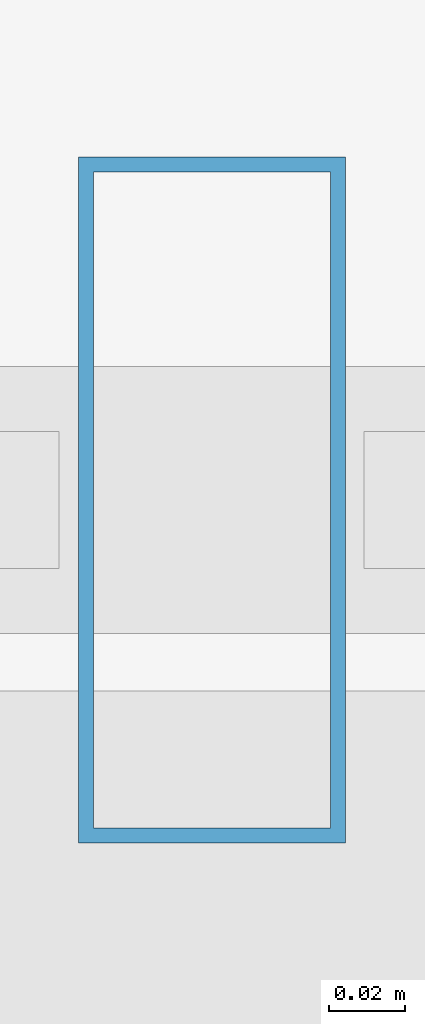
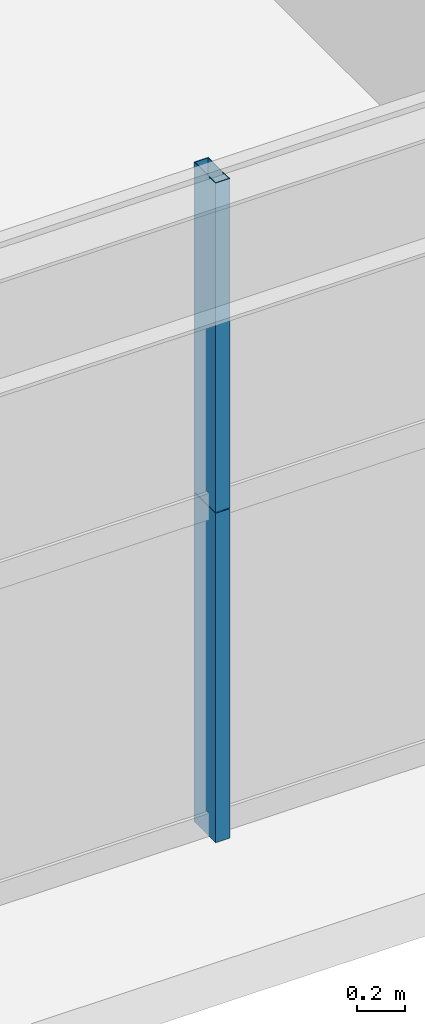
# One storey, part 13 of 43: 2 members, 1 element without a shape of its own.
"""IFC4 building model written with IfcOpenShell, lengths in metres."""

from ifc_helpers import new_model, si_unit, direction, frame, origin, origin_2d, place, context, subcontext, project, spatial, hollow_rectangle, extrude, source, transform, mapped, material, layer, layer_set, material_profile, profile_set, type_object, element, aggregate, save


model = new_model("IFC4")

# Units and contexts
model_context = context("Model", 3, precision=1e-05, world=origin(), true_north=direction((0.0, 1.0)))
body_context = subcontext(model_context, "Body", "Model", "MODEL_VIEW")
ifc_project = project(units=[si_unit("LENGTHUNIT", "METRE"), si_unit("AREAUNIT", "SQUARE_METRE"), si_unit("VOLUMEUNIT", "CUBIC_METRE"), si_unit("PLANEANGLEUNIT", "RADIAN"), si_unit("MASSUNIT", "GRAM", prefix="KILO"), si_unit("THERMODYNAMICTEMPERATUREUNIT", "KELVIN"), si_unit("POWERUNIT", "WATT")], contexts=[model_context])

# Site, building, storey
site_placement = place(None, origin())
site = spatial("IfcSite", under=ifc_project, at=site_placement, CompositionType="ELEMENT")
building_placement = place(site_placement, origin())
building = spatial("IfcBuilding", under=site, at=building_placement, Name="Yuzanri Waterfront Tower", CompositionType="ELEMENT")
storey_placement = place(building_placement, frame((0.0, 0.0, 53.199951171875)))
storey = spatial("IfcBuildingStorey", under=building, at=storey_placement, Name="L13", CompositionType="ELEMENT", Elevation=53.199951171875)

# Curtain wall, members
ifc_material_1 = material(Name="Anodized Architectural Bronze", Category="metal")
ifc_layer = layer(ifc_material_1, 0.159912109375)
ifc_layer_set = layer_set([ifc_layer], Name="Anodized Architectural Bronze")
curtain_wall_type = type_object("IfcCurtainWallType", Name="Anodized Bronze Hotel Lower-Tier Recessed Unitized Curtain Wall 8100", PredefinedType="NOTDEFINED", material=ifc_layer_set)
curtain_wall_placement = place(storey_placement, origin())
curtain_wall = element("IfcCurtainWall", 1, at=curtain_wall_placement, inside=storey, type_object=curtain_wall_type, Name="L13 Curtain Wall CW-L13-SR", PredefinedType="NOTDEFINED")
ifc_material_2 = material(Name="Anodized Architectural Bronze", Category="metal")
ifc_material_profile = material_profile(ifc_material_2, hollow_rectangle(XDim=0.070068359375, YDim=0.179931640625, WallThickness=0.00390625, at=origin_2d()), Name="CWM 70x180")
ifc_profile_set = profile_set([ifc_material_profile], Name="Anodized Architectural Bronze")
member_type = type_object("IfcMemberType", Name="Anodized Bronze Standard Curtain-Wall Mullion 70x180", PredefinedType="MULLION", material=ifc_profile_set)
shared_shape = source(origin(), body_context, "Body", "SweptSolid", [
    extrude(hollow_rectangle(XDim=0.070068359375, YDim=0.179931640625, WallThickness=0.00390625, at=origin_2d()), origin(), (0.0, 0.0, 1.0), 1.68798828125),
])
member_1_placement = place(storey_placement, frame((46.10009765625, 0.85009765625, 0.0), z_axis=(0.0, 0.0, 1.0), x_axis=(1.0, 0.0, 0.0)))
member_1 = element("IfcMember", 2, at=member_1_placement, type_object=member_type, Name="CW-L13-SR Lower Mullion 01", PredefinedType="MULLION", context=body_context, shape_type="MappedRepresentation", body=[
    mapped(shared_shape, transform((0.0, 0.0, 0.0), scale=1.0)),
])
member_2_placement = place(storey_placement, frame((46.10009765625, 0.85009765625, 1.692138671875), z_axis=(0.0, 0.0, 1.0), x_axis=(1.0, 0.0, 0.0)))
member_2 = element("IfcMember", 3, at=member_2_placement, type_object=member_type, Name="CW-L13-SR Upper Mullion 01", PredefinedType="MULLION", context=body_context, shape_type="MappedRepresentation", body=[
    mapped(shared_shape, transform((0.0, 0.0, 0.0), scale=1.0)),
])
aggregate(curtain_wall, [member_1, member_2])

save(model, "model.ifc")
